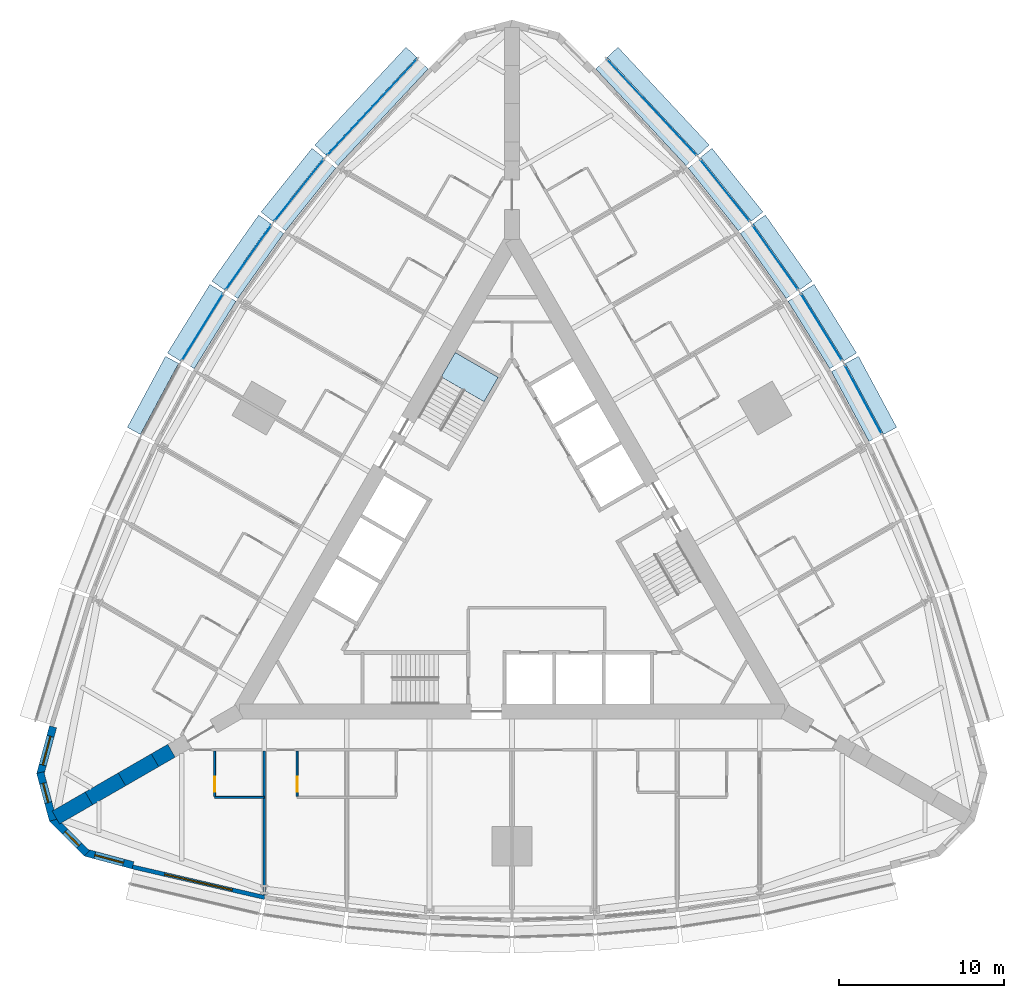
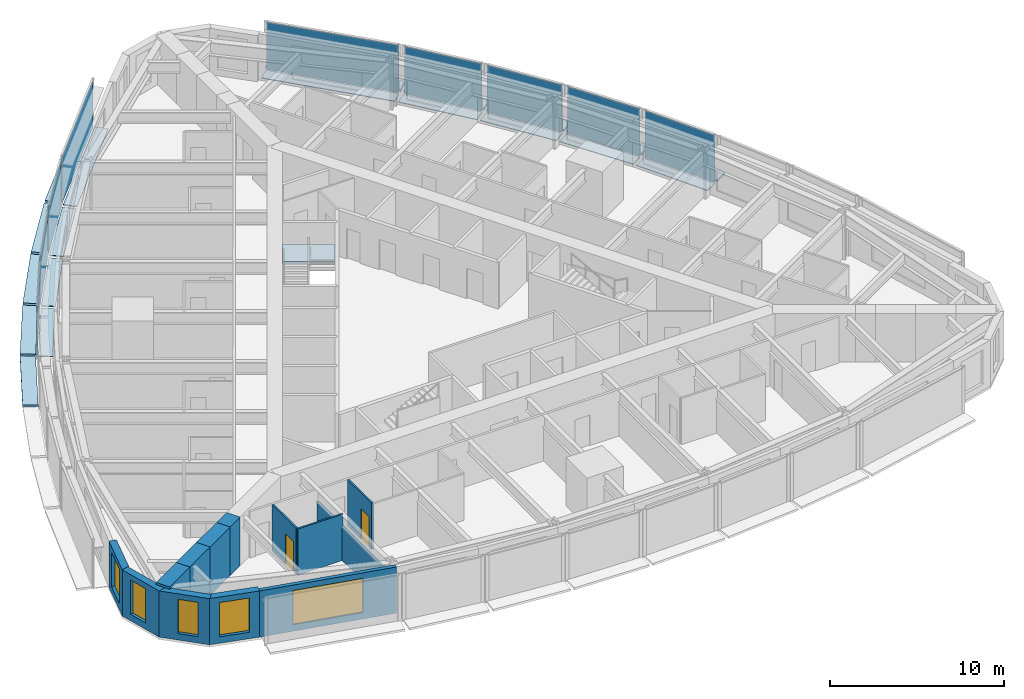
# One storey, part 7 of 14: 28 plates, 13 walls, 5 windows, 2 doors, 1 slab, 7 openings, 10 elements without a shape of their own.
"""IFC4 building model written with IfcOpenShell, lengths in metres."""

import ifcopenshell
import ifcopenshell.guid

model = None  # the IFC model being written
_history = None  # IfcOwnerHistory: only IFC2X3 demands one
_inside = {}  # id of a spatial element -> (the spatial element, [elements in it])
_under = {}  # id of a project, library or spatial element -> (it, [spatial elements below it])
_declared = {}  # id of a project -> (the project, [libraries it declares])
_typed = {}  # id of a type object -> (the type object, [elements of that type])
_made_of = {}  # id of a material, layer set ... -> (it, [elements and type objects made of it])


def new_model(schema):
    """Start an empty IFC model of exactly this schema.

    Asked for "IFC4X3", IfcOpenShell would pick the latest addendum, in which some entities
    have other attributes; the version numbers below select the first issue.
    IFC2X3 requires an IfcOwnerHistory on every rooted entity: one is made here for all.
    """
    global model, _history
    if schema == "IFC4X3":
        model = ifcopenshell.file(schema_version=(4, 3, 0, 0))
    else:
        model = ifcopenshell.file(schema=schema)
    _inside.clear()
    _under.clear()
    _declared.clear()
    _typed.clear()
    _made_of.clear()
    _history = None
    if model.schema == "IFC2X3":
        org = make("IfcOrganization", Name="unknown")
        user = make(
            "IfcPersonAndOrganization",
            ThePerson=make("IfcPerson", FamilyName="unknown"),
            TheOrganization=org,
        )
        app = make(
            "IfcApplication",
            ApplicationDeveloper=org,
            Version="unknown",
            ApplicationFullName="unknown",
            ApplicationIdentifier="unknown",
        )
        _history = make(
            "IfcOwnerHistory",
            OwningUser=user,
            OwningApplication=app,
            ChangeAction="ADDED",
            CreationDate=0,
        )
    return model


def make(cls, **values):
    """One entity of the class cls with the attributes given. An attribute that is None is left unset."""
    return model.create_entity(
        cls, **{name: value for name, value in values.items() if value is not None}
    )


def rooted(cls, **values):
    """An entity with a GlobalId (a new one), such as an element, a storey or a relation."""
    return make(cls, GlobalId=ifcopenshell.guid.new(), OwnerHistory=_history, **values)


def si_unit(unit_type, name, prefix=None):
    """IfcSIUnit, for example si_unit("LENGTHUNIT", "METRE", prefix="MILLI")."""
    return make("IfcSIUnit", UnitType=unit_type, Prefix=prefix, Name=name)


def assignment(units):
    """IfcUnitAssignment: the units of a project."""
    return None if units is None else make("IfcUnitAssignment", Units=units)


def point(xyz):
    """IfcCartesianPoint."""
    return None if xyz is None else make("IfcCartesianPoint", Coordinates=xyz)


def direction(xyz):
    """IfcDirection."""
    return None if xyz is None else make("IfcDirection", DirectionRatios=xyz)


def frame(location, z_axis=None, x_axis=None):
    """IfcAxis2Placement3D, a coordinate frame: its origin and axes. An axis left out is left unset."""
    return make(
        "IfcAxis2Placement3D",
        Location=point(location),
        Axis=direction(z_axis),
        RefDirection=direction(x_axis),
    )


def frame_2d(location, x_axis=None):
    """IfcAxis2Placement2D, a coordinate frame in the plane: its origin and x axis."""
    return make(
        "IfcAxis2Placement2D", Location=point(location), RefDirection=direction(x_axis)
    )


def origin():
    """The frame at (0, 0, 0) with its axes left unset."""
    return frame((0.0, 0.0, 0.0))


def origin_2d():
    """The frame at (0, 0) in the plane with its x axis left unset."""
    return frame_2d((0.0, 0.0))


def place(relative_to, where):
    """IfcLocalPlacement: puts the frame where relative to a parent placement (None: the world)."""
    return make(
        "IfcLocalPlacement", PlacementRelTo=relative_to, RelativePlacement=where
    )


def context(
    kind, dimensions, precision=None, world=None, true_north=None, identifier=None
):
    """IfcGeometricRepresentationContext, for example the 3D "Model" context."""
    return make(
        "IfcGeometricRepresentationContext",
        ContextIdentifier=identifier,
        ContextType=kind,
        CoordinateSpaceDimension=dimensions,
        Precision=precision,
        WorldCoordinateSystem=world,
        TrueNorth=true_north,
    )


def subcontext(parent, identifier, kind, view, scale=None):
    """IfcGeometricRepresentationSubContext, for example "Body" below "Model"."""
    return make(
        "IfcGeometricRepresentationSubContext",
        ContextIdentifier=identifier,
        ContextType=kind,
        ParentContext=parent,
        TargetScale=scale,
        TargetView=view,
    )


def project(units=None, contexts=None):
    """IfcProject with its units and contexts."""
    return rooted(
        "IfcProject",
        Name="project",
        RepresentationContexts=contexts,
        UnitsInContext=assignment(units),
    )


def spatial(cls, under=None, at=None, **own):
    """A site, building, storey or space (cls), placed at a placement, below another one or the project."""
    s = rooted(cls, ObjectPlacement=at, **own)
    if under is not None:
        _under.setdefault(under.id(), (under, []))[1].append(s)
    return s


def polyline(points):
    """IfcPolyline through the points."""
    return make("IfcPolyline", Points=[point(p) for p in points])


def profile(cls, at=None, kind="AREA", **sizes):
    """A parametric profile (cls). Its sizes go by their IFC names, for example OverallWidth=200.0."""
    return make(cls, ProfileType=kind, Position=at, **sizes)


def rectangle(**sizes):
    """IfcRectangleProfileDef."""
    return profile("IfcRectangleProfileDef", **sizes)


def outline(outer, holes=None, kind="AREA"):
    """IfcArbitraryClosedProfileDef: a profile drawn as a closed curve; with holes, ...WithVoids."""
    if holes is None:
        return make("IfcArbitraryClosedProfileDef", ProfileType=kind, OuterCurve=outer)
    return make(
        "IfcArbitraryProfileDefWithVoids",
        ProfileType=kind,
        OuterCurve=outer,
        InnerCurves=holes,
    )


def extrude(swept, where, along, depth):
    """IfcExtrudedAreaSolid: the profile swept, set in the frame where, extruded along a direction by depth."""
    return make(
        "IfcExtrudedAreaSolid",
        SweptArea=swept,
        Position=where,
        ExtrudedDirection=direction(along),
        Depth=depth,
    )


def shape(context_of_items, identifier, shape_type, items):
    """IfcShapeRepresentation: the items that make up one representation, for example the "Body"."""
    return make(
        "IfcShapeRepresentation",
        ContextOfItems=context_of_items,
        RepresentationIdentifier=identifier,
        RepresentationType=shape_type,
        Items=items,
    )


def material(Name=None, Category=None):
    """IfcMaterial."""
    return make("IfcMaterial", Name=Name, Category=Category)


def layer(
    of_material, thickness, ventilated=None, Name=None, Category=None, Priority=None
):
    """IfcMaterialLayer: one layer of a wall or slab, of a material (None: an air gap)."""
    return make(
        "IfcMaterialLayer",
        Material=of_material,
        LayerThickness=thickness,
        IsVentilated=ventilated,
        Name=Name,
        Category=Category,
        Priority=Priority,
    )


def layer_set(layers, Name=None):
    """IfcMaterialLayerSet."""
    return make("IfcMaterialLayerSet", MaterialLayers=layers, LayerSetName=Name)


def made_of(thing, what):
    """Note that an element or type object is made of a material, layer set ...; save() writes the relation."""
    if what is not None:
        _made_of.setdefault(what.id(), (what, []))[1].append(thing)
    return thing


def type_object(cls, material=None, **own):
    """A type object (cls), such as IfcWallType, which elements share."""
    return made_of(rooted(cls, **own), material)


def element(
    cls,
    number,
    at=None,
    inside=None,
    cuts=None,
    type_object=None,
    material=None,
    context=None,
    identifier="Body",
    shape_type=None,
    held_by="IfcProductDefinitionShape",
    body=None,
    shapes=None,
    **own,
):
    """One element of the class cls, such as IfcWall. Its Tag is "e" and its number.

    at: its placement. inside: the storey or other place that contains it. cuts: it is an
    opening in that element (IfcRelVoidsElement). A single representation is given by context,
    identifier, shape_type and body (its items); several are given by shapes. held_by: the class
    of the entity that holds the representations. save() writes the other relations.
    """
    e = rooted(cls, Tag="e%d" % number, ObjectPlacement=at, **own)
    if body is not None:
        shapes = [shape(context, identifier, shape_type, body)]
    if shapes is not None:
        e.Representation = make(held_by, Representations=shapes)
    if inside is not None:
        _inside.setdefault(inside.id(), (inside, []))[1].append(e)
    if cuts is not None:
        rooted(
            "IfcRelVoidsElement", RelatingBuildingElement=cuts, RelatedOpeningElement=e
        )
    if type_object is not None:
        _typed.setdefault(type_object.id(), (type_object, []))[1].append(e)
    return made_of(e, material)


def fill(opening, filler):
    """IfcRelFillsElement: the door or window that sits in an opening."""
    return rooted(
        "IfcRelFillsElement",
        RelatingOpeningElement=opening,
        RelatedBuildingElement=filler,
    )


def aggregate(whole, parts):
    """IfcRelAggregates: a whole, such as a stair, and the parts it consists of."""
    return rooted("IfcRelAggregates", RelatingObject=whole, RelatedObjects=parts)


def save(model, path):
    """Write the relations noted so far, then the file.

    IfcRelAggregates (storeys below a building ...), IfcRelContainedInSpatialStructure (elements
    in a storey), IfcRelDefinesByType, IfcRelAssociatesMaterial and IfcRelDeclares: one each for
    every whole, place, type object, material and project.
    """
    for whole, parts in _under.values():
        aggregate(whole, parts)
    for where, things in _inside.values():
        rooted(
            "IfcRelContainedInSpatialStructure",
            RelatedElements=things,
            RelatingStructure=where,
        )
    for kind, things in _typed.values():
        rooted("IfcRelDefinesByType", RelatedObjects=things, RelatingType=kind)
    for what, things in _made_of.values():
        rooted("IfcRelAssociatesMaterial", RelatedObjects=things, RelatingMaterial=what)
    for by, libraries in _declared.values():
        rooted("IfcRelDeclares", RelatingContext=by, RelatedDefinitions=libraries)
    model.write(path)


model = new_model("IFC4")

# Units and contexts
model_context = context("Model", 3, precision=1e-05, world=origin(), true_north=direction((0.0, 1.0)))
body_context = subcontext(model_context, "Body", "Model", "MODEL_VIEW")
ifc_project = project(units=[si_unit("LENGTHUNIT", "METRE"), si_unit("AREAUNIT", "SQUARE_METRE"), si_unit("VOLUMEUNIT", "CUBIC_METRE"), si_unit("PLANEANGLEUNIT", "RADIAN"), si_unit("MASSUNIT", "GRAM", prefix="KILO")], contexts=[model_context])

# Site, building, storey
site_placement = place(None, origin())
site = spatial("IfcSite", under=ifc_project, at=site_placement, CompositionType="ELEMENT")
building_placement = place(site_placement, origin())
building = spatial("IfcBuilding", under=site, at=building_placement, Name="Trikona Tower", CompositionType="ELEMENT")
storey_placement = place(building_placement, frame((0.0, 0.0, 42.10009765625)))
storey = spatial("IfcBuildingStorey", under=building, at=storey_placement, Name="L09", CompositionType="ELEMENT", Elevation=42.10009765625)

# Plates
ifc_material_1 = material(Name="Aluminium bar grating", Category="aluminium")
ifc_layer_1 = layer(ifc_material_1, 0.050048828125)
ifc_layer_set_1 = layer_set([ifc_layer_1], Name="Cavity catwalk grating")
plate_type_1 = type_object("IfcPlateType", Name="Cavity catwalk grating", PredefinedType="USERDEFINED", material=ifc_layer_set_1)
for number, where, z_axis, x_axis, name in (
    (1, (20.833740234375, 9.127197265625, -0.05029296875), (0.0, 0.0, 1.0), (-0.473422672721, 0.880835383572, 0.0), "Cavity catwalk L09-15"),
    (2, (18.3212890625, 13.47900390625, -0.05029296875), (0.0, 0.0, 1.0), (-0.526118935114, 0.85041099835, 0.0), "Cavity catwalk L09-16"),
):
    element("IfcPlate", number, at=place(storey_placement, frame(where, z_axis=z_axis, x_axis=x_axis)), inside=storey, type_object=plate_type_1, Name=name, ObjectType="CATWALK GRATING", PredefinedType="USERDEFINED", context=body_context, shape_type="SweptSolid", body=[
        extrude(rectangle(XDim=4.80224609375, YDim=0.820068359375, at=origin_2d()), origin(), (0.0, 0.0, 1.0), 0.050048828125),
    ])
plate_1_placement = place(storey_placement, frame((15.544189453125, 17.677734375, -0.05029296875), z_axis=(0.0, 0.0, 1.0), x_axis=(-0.576661909499, 0.816982889743, 0.0)))
element("IfcPlate", 3, at=plate_1_placement, inside=storey, type_object=plate_type_1, Name="Cavity catwalk L09-17", ObjectType="CATWALK GRATING", PredefinedType="USERDEFINED", context=body_context, shape_type="SweptSolid", body=[
    extrude(rectangle(XDim=4.82080078125, YDim=0.820068359375, at=origin_2d()), origin(), (0.0, 0.0, 1.0), 0.050048828125),
])
plate_2_placement = place(storey_placement, frame((12.502197265625, 21.72314453125, -0.05029296875), z_axis=(0.0, 0.0, 1.0), x_axis=(-0.624603618277, 0.780941944087, 0.0)))
element("IfcPlate", 4, at=plate_2_placement, inside=storey, type_object=plate_type_1, Name="Cavity catwalk L09-18", ObjectType="CATWALK GRATING", PredefinedType="USERDEFINED", context=body_context, shape_type="SweptSolid", body=[
    extrude(rectangle(XDim=4.857666015625, YDim=0.820068359375, at=origin_2d()), origin(), (0.0, 0.0, 1.0), 0.050048828125),
])
for number, where, z_axis, x_axis, name in (
    (5, (8.10107421875, 26.72314453125, -0.05029296875), (0.0, 0.0, 1.0), (-0.682298269147, 0.731073916864, 0.0), "Cavity catwalk L09-19"),
    (6, (-8.10107421875, 26.72314453125, -0.05029296875), (0.0, 0.0, 1.0), (-0.682298269147, -0.731073916864, 0.0), "Cavity catwalk L09-24"),
):
    element("IfcPlate", number, at=place(storey_placement, frame(where, z_axis=z_axis, x_axis=x_axis)), inside=storey, type_object=plate_type_1, Name=name, ObjectType="CATWALK GRATING", PredefinedType="USERDEFINED", context=body_context, shape_type="SweptSolid", body=[
        extrude(rectangle(XDim=8.01123046875, YDim=0.820068359375, at=origin_2d()), origin(), (0.0, 0.0, 1.0), 0.050048828125),
    ])
plate_3_placement = place(storey_placement, frame((-12.502197265625, 21.72314453125, -0.05029296875), z_axis=(0.0, 0.0, 1.0), x_axis=(-0.624603618277, -0.780941944087, 0.0)))
element("IfcPlate", 7, at=plate_3_placement, inside=storey, type_object=plate_type_1, Name="Cavity catwalk L09-25", ObjectType="CATWALK GRATING", PredefinedType="USERDEFINED", context=body_context, shape_type="SweptSolid", body=[
    extrude(rectangle(XDim=4.857666015625, YDim=0.820068359375, at=origin_2d()), origin(), (0.0, 0.0, 1.0), 0.050048828125),
])
plate_4_placement = place(storey_placement, frame((-15.544189453125, 17.677734375, -0.05029296875), z_axis=(0.0, 0.0, 1.0), x_axis=(-0.576661909499, -0.816982889743, 0.0)))
element("IfcPlate", 8, at=plate_4_placement, inside=storey, type_object=plate_type_1, Name="Cavity catwalk L09-26", ObjectType="CATWALK GRATING", PredefinedType="USERDEFINED", context=body_context, shape_type="SweptSolid", body=[
    extrude(rectangle(XDim=4.82080078125, YDim=0.820068359375, at=origin_2d()), origin(), (0.0, 0.0, 1.0), 0.050048828125),
])
plate_5_placement = place(storey_placement, frame((-18.3212890625, 13.47900390625, -0.05029296875), z_axis=(0.0, 0.0, 1.0), x_axis=(-0.526118935114, -0.85041099835, 0.0)))
element("IfcPlate", 9, at=plate_5_placement, inside=storey, type_object=plate_type_1, Name="Cavity catwalk L09-27", ObjectType="CATWALK GRATING", PredefinedType="USERDEFINED", context=body_context, shape_type="SweptSolid", body=[
    extrude(rectangle(XDim=4.80224609375, YDim=0.820068359375, at=origin_2d()), origin(), (0.0, 0.0, 1.0), 0.050048828125),
])

# Curtain wall, plate
ifc_material_2 = material(Name="Aluminium curtain wall system", Category="aluminium")
curtain_wall_type = type_object("IfcCurtainWallType", Name="Curtain wall DS1", PredefinedType="NOTDEFINED", material=ifc_material_2)
curtain_wall_1_placement = place(storey_placement, origin())
curtain_wall_1 = element("IfcCurtainWall", 10, at=curtain_wall_1_placement, inside=storey, type_object=curtain_wall_type, Name="Curtain wall DS1 L09", PredefinedType="NOTDEFINED")
ifc_material_3 = material(Name="Laminated clear glass", Category="glass")
ifc_layer_2 = layer(ifc_material_3, 0.028076171875)
ifc_layer_set_2 = layer_set([ifc_layer_2], Name="Glass panel DS1")
plate_type_2 = type_object("IfcPlateType", Name="Glass panel DS1", PredefinedType="CURTAIN_PANEL", material=ifc_layer_set_2)
plate_6_placement = place(storey_placement, frame((21.265380859375, 9.359130859375, 0.0), z_axis=(0.0, 0.0, 1.0), x_axis=(-0.473408350896, 0.880843080975, 0.0)))
plate_6 = element("IfcPlate", 11, at=plate_6_placement, type_object=plate_type_2, Name="CW-DS1 panel 1.1", PredefinedType="CURTAIN_PANEL", context=body_context, shape_type="SweptSolid", body=[
    extrude(rectangle(XDim=4.72216796875, YDim=0.028076171875, at=origin_2d()), origin(), (0.0, 0.0, 1.0), 3.320068359375),
])
aggregate(curtain_wall_1, [plate_6])

curtain_wall_2_placement = place(storey_placement, origin())
curtain_wall_2 = element("IfcCurtainWall", 12, at=curtain_wall_2_placement, inside=storey, type_object=curtain_wall_type, Name="Curtain wall DS1 L09", PredefinedType="NOTDEFINED")
plate_7_placement = place(storey_placement, frame((18.738037109375, 13.73681640625, 0.0), z_axis=(0.0, 0.0, 1.0), x_axis=(-0.526119790842, 0.850410468941, 0.0)))
plate_7 = element("IfcPlate", 13, at=plate_7_placement, type_object=plate_type_2, Name="CW-DS1 panel 1.1", PredefinedType="CURTAIN_PANEL", context=body_context, shape_type="SweptSolid", body=[
    extrude(rectangle(XDim=4.722412109375, YDim=0.028076171875, at=origin_2d()), origin(), (0.0, 0.0, 1.0), 3.320068359375),
])
aggregate(curtain_wall_2, [plate_7])

curtain_wall_3_placement = place(storey_placement, origin())
curtain_wall_3 = element("IfcCurtainWall", 14, at=curtain_wall_3_placement, inside=storey, type_object=curtain_wall_type, Name="Curtain wall DS1 L09", PredefinedType="NOTDEFINED")
plate_8_placement = place(storey_placement, frame((15.9443359375, 17.960205078125, 0.0), z_axis=(0.0, 0.0, 1.0), x_axis=(-0.576658362928, 0.816985393055, 0.0)))
plate_8 = element("IfcPlate", 15, at=plate_8_placement, type_object=plate_type_2, Name="CW-DS1 panel 1.1", PredefinedType="CURTAIN_PANEL", context=body_context, shape_type="SweptSolid", body=[
    extrude(rectangle(XDim=4.74072265625, YDim=0.028076171875, at=origin_2d()), origin(), (0.0, 0.0, 1.0), 3.320068359375),
])
aggregate(curtain_wall_3, [plate_8])

curtain_wall_4_placement = place(storey_placement, origin())
curtain_wall_4 = element("IfcCurtainWall", 16, at=curtain_wall_4_placement, inside=storey, type_object=curtain_wall_type, Name="Curtain wall DS1 L09", PredefinedType="NOTDEFINED")
plate_9_placement = place(storey_placement, frame((12.884765625, 22.029296875, 0.0), z_axis=(0.0, 0.0, 1.0), x_axis=(-0.624608599951, 0.780937959679, 0.0)))
plate_9 = element("IfcPlate", 17, at=plate_9_placement, type_object=plate_type_2, Name="CW-DS1 panel 1.1", PredefinedType="CURTAIN_PANEL", context=body_context, shape_type="SweptSolid", body=[
    extrude(rectangle(XDim=4.777587890625, YDim=0.028076171875, at=origin_2d()), origin(), (0.0, 0.0, 1.0), 3.320068359375),
])
aggregate(curtain_wall_4, [plate_9])

curtain_wall_5_placement = place(storey_placement, origin())
curtain_wall_5 = element("IfcCurtainWall", 18, at=curtain_wall_5_placement, inside=storey, type_object=curtain_wall_type, Name="Curtain wall DS1 L09", PredefinedType="NOTDEFINED")
plate_10_placement = place(storey_placement, frame((8.459228515625, 27.057373046875, 0.0), z_axis=(0.0, 0.0, 1.0), x_axis=(-0.682295351967, 0.731076639405, 0.0)))
plate_10 = element("IfcPlate", 19, at=plate_10_placement, type_object=plate_type_2, Name="CW-DS1 panel 1.1", PredefinedType="CURTAIN_PANEL", context=body_context, shape_type="SweptSolid", body=[
    extrude(rectangle(XDim=7.93115234375, YDim=0.028076171875, at=origin_2d()), origin(), (0.0, 0.0, 1.0), 3.320068359375),
])
aggregate(curtain_wall_5, [plate_10])

curtain_wall_6_placement = place(storey_placement, origin())
curtain_wall_6 = element("IfcCurtainWall", 20, at=curtain_wall_6_placement, inside=storey, type_object=curtain_wall_type, Name="Curtain wall DS1 L09", PredefinedType="NOTDEFINED")
plate_11_placement = place(storey_placement, frame((-8.459228515625, 27.057373046875, 0.0), z_axis=(0.0, 0.0, 1.0), x_axis=(-0.682295351967, -0.731076639405, 0.0)))
plate_11 = element("IfcPlate", 21, at=plate_11_placement, type_object=plate_type_2, Name="CW-DS1 panel 1.1", PredefinedType="CURTAIN_PANEL", context=body_context, shape_type="SweptSolid", body=[
    extrude(rectangle(XDim=7.93115234375, YDim=0.028076171875, at=origin_2d()), origin(), (0.0, 0.0, 1.0), 3.320068359375),
])
aggregate(curtain_wall_6, [plate_11])

curtain_wall_7_placement = place(storey_placement, origin())
curtain_wall_7 = element("IfcCurtainWall", 22, at=curtain_wall_7_placement, inside=storey, type_object=curtain_wall_type, Name="Curtain wall DS1 L09", PredefinedType="NOTDEFINED")
plate_12_placement = place(storey_placement, frame((-12.884765625, 22.029296875, 0.0), z_axis=(0.0, 0.0, 1.0), x_axis=(-0.624608599951, -0.780937959679, 0.0)))
plate_12 = element("IfcPlate", 23, at=plate_12_placement, type_object=plate_type_2, Name="CW-DS1 panel 1.1", PredefinedType="CURTAIN_PANEL", context=body_context, shape_type="SweptSolid", body=[
    extrude(rectangle(XDim=4.777587890625, YDim=0.028076171875, at=origin_2d()), origin(), (0.0, 0.0, 1.0), 3.320068359375),
])
aggregate(curtain_wall_7, [plate_12])

curtain_wall_8_placement = place(storey_placement, origin())
curtain_wall_8 = element("IfcCurtainWall", 24, at=curtain_wall_8_placement, inside=storey, type_object=curtain_wall_type, Name="Curtain wall DS1 L09", PredefinedType="NOTDEFINED")
plate_13_placement = place(storey_placement, frame((-15.9443359375, 17.960205078125, 0.0), z_axis=(0.0, 0.0, 1.0), x_axis=(-0.576658362928, -0.816985393055, 0.0)))
plate_13 = element("IfcPlate", 25, at=plate_13_placement, type_object=plate_type_2, Name="CW-DS1 panel 1.1", PredefinedType="CURTAIN_PANEL", context=body_context, shape_type="SweptSolid", body=[
    extrude(rectangle(XDim=4.74072265625, YDim=0.028076171875, at=origin_2d()), origin(), (0.0, 0.0, 1.0), 3.320068359375),
])
aggregate(curtain_wall_8, [plate_13])

curtain_wall_9_placement = place(storey_placement, origin())
curtain_wall_9 = element("IfcCurtainWall", 26, at=curtain_wall_9_placement, inside=storey, type_object=curtain_wall_type, Name="Curtain wall DS1 L09", PredefinedType="NOTDEFINED")
plate_14_placement = place(storey_placement, frame((-18.738037109375, 13.73681640625, 0.0), z_axis=(0.0, 0.0, 1.0), x_axis=(-0.526119790842, -0.850410468941, 0.0)))
plate_14 = element("IfcPlate", 27, at=plate_14_placement, type_object=plate_type_2, Name="CW-DS1 panel 1.1", PredefinedType="CURTAIN_PANEL", context=body_context, shape_type="SweptSolid", body=[
    extrude(rectangle(XDim=4.722412109375, YDim=0.028076171875, at=origin_2d()), origin(), (0.0, 0.0, 1.0), 3.320068359375),
])
aggregate(curtain_wall_9, [plate_14])

# Plates
ifc_material_4 = material(Name="Aluminium plate fin, pale anodised, on stainless steel outriggers", Category="steel")
ifc_layer_3 = layer(ifc_material_4, 0.14990234375)
ifc_layer_set_3 = layer_set([ifc_layer_3], Name="Outer skin fin 900")
plate_type_3 = type_object("IfcPlateType", Name="Outer skin fin 900", PredefinedType="USERDEFINED", material=ifc_layer_set_3)
for number, where, z_axis, x_axis, name in (
    (28, (21.732421875, 9.610107421875, 0.0), (0.0, 0.0, 1.0), (-0.473422672721, 0.880835383572, 0.0), "Outer skin fin L09-15"),
    (29, (19.188720703125, 14.015625, 0.0), (0.0, 0.0, 1.0), (-0.526118935114, 0.85041099835, 0.0), "Outer skin fin L09-16"),
):
    element("IfcPlate", number, at=place(storey_placement, frame(where, z_axis=z_axis, x_axis=x_axis)), inside=storey, type_object=plate_type_3, Name=name, ObjectType="FIN", PredefinedType="USERDEFINED", context=body_context, shape_type="SweptSolid", body=[
        extrude(rectangle(XDim=4.88232421875, YDim=0.89990234375, at=origin_2d()), origin(), (0.0, 0.0, 1.0), 0.14990234375),
    ])
plate_15_placement = place(storey_placement, frame((16.37744140625, 18.265869140625, 0.0), z_axis=(0.0, 0.0, 1.0), x_axis=(-0.576661909499, 0.816982889743, 0.0)))
element("IfcPlate", 30, at=plate_15_placement, inside=storey, type_object=plate_type_3, Name="Outer skin fin L09-17", ObjectType="FIN", PredefinedType="USERDEFINED", context=body_context, shape_type="SweptSolid", body=[
    extrude(rectangle(XDim=4.90087890625, YDim=0.89990234375, at=origin_2d()), origin(), (0.0, 0.0, 1.0), 0.14990234375),
])
plate_16_placement = place(storey_placement, frame((13.298583984375, 22.360107421875, 0.0), z_axis=(0.0, 0.0, 1.0), x_axis=(-0.624603618277, 0.780941944087, 0.0)))
element("IfcPlate", 31, at=plate_16_placement, inside=storey, type_object=plate_type_3, Name="Outer skin fin L09-18", ObjectType="FIN", PredefinedType="USERDEFINED", context=body_context, shape_type="SweptSolid", body=[
    extrude(rectangle(XDim=4.9375, YDim=0.89990234375, at=origin_2d()), origin(), (0.0, 0.0, 1.0), 0.14990234375),
])
for number, where, z_axis, x_axis, name in (
    (32, (8.8466796875, 27.419189453125, 0.0), (0.0, 0.0, 1.0), (-0.682298269147, 0.731073916864, 0.0), "Outer skin fin L09-19"),
    (33, (-8.8466796875, 27.419189453125, 0.0), (0.0, 0.0, 1.0), (-0.682298269147, -0.731073916864, 0.0), "Outer skin fin L09-24"),
):
    element("IfcPlate", number, at=place(storey_placement, frame(where, z_axis=z_axis, x_axis=x_axis)), inside=storey, type_object=plate_type_3, Name=name, ObjectType="FIN", PredefinedType="USERDEFINED", context=body_context, shape_type="SweptSolid", body=[
        extrude(rectangle(XDim=8.09130859375, YDim=0.89990234375, at=origin_2d()), origin(), (0.0, 0.0, 1.0), 0.14990234375),
    ])
plate_17_placement = place(storey_placement, frame((-13.298583984375, 22.360107421875, 0.0), z_axis=(0.0, 0.0, 1.0), x_axis=(-0.624603618277, -0.780941944087, 0.0)))
element("IfcPlate", 34, at=plate_17_placement, inside=storey, type_object=plate_type_3, Name="Outer skin fin L09-25", ObjectType="FIN", PredefinedType="USERDEFINED", context=body_context, shape_type="SweptSolid", body=[
    extrude(rectangle(XDim=4.9375, YDim=0.89990234375, at=origin_2d()), origin(), (0.0, 0.0, 1.0), 0.14990234375),
])
plate_18_placement = place(storey_placement, frame((-16.37744140625, 18.265869140625, 0.0), z_axis=(0.0, 0.0, 1.0), x_axis=(-0.576661909499, -0.816982889743, 0.0)))
element("IfcPlate", 35, at=plate_18_placement, inside=storey, type_object=plate_type_3, Name="Outer skin fin L09-26", ObjectType="FIN", PredefinedType="USERDEFINED", context=body_context, shape_type="SweptSolid", body=[
    extrude(rectangle(XDim=4.90087890625, YDim=0.89990234375, at=origin_2d()), origin(), (0.0, 0.0, 1.0), 0.14990234375),
])
for number, where, z_axis, x_axis, name in (
    (36, (-19.188720703125, 14.015625, 0.0), (0.0, 0.0, 1.0), (-0.526118935114, -0.85041099835, 0.0), "Outer skin fin L09-27"),
    (37, (-21.732421875, 9.610107421875, 0.0), (0.0, 0.0, 1.0), (-0.473422672721, -0.880835383572, 0.0), "Outer skin fin L09-28"),
):
    element("IfcPlate", number, at=place(storey_placement, frame(where, z_axis=z_axis, x_axis=x_axis)), inside=storey, type_object=plate_type_3, Name=name, ObjectType="FIN", PredefinedType="USERDEFINED", context=body_context, shape_type="SweptSolid", body=[
        extrude(rectangle(XDim=4.88232421875, YDim=0.89990234375, at=origin_2d()), origin(), (0.0, 0.0, 1.0), 0.14990234375),
    ])

# Stair, slab
ifc_material_5 = material(Name="Concrete f'c 5000 psi", Category="concrete")
stair_type = type_object("IfcStairType", Name="Core stair", PredefinedType="HALF_TURN_STAIR", material=ifc_material_5)
stair_placement = place(storey_placement, origin())
stair = element("IfcStair", 38, at=stair_placement, inside=storey, type_object=stair_type, Name="Stair C L09", PredefinedType="HALF_TURN_STAIR")
ifc_material_6 = material(Name="Concrete f'c 5000 psi", Category="concrete")
ifc_layer_4 = layer(ifc_material_6, 0.199951171875)
ifc_layer_set_4 = layer_set([ifc_layer_4], Name="Stair landing 200")
slab_type = type_object("IfcSlabType", Name="Stair landing 200", PredefinedType="LANDING", material=ifc_layer_set_4)
slab_placement = place(storey_placement, frame((0.0, 0.0, 1.5)))
slab = element("IfcSlab", 39, at=slab_placement, type_object=slab_type, Name="ST-C landing 2", PredefinedType="LANDING", context=body_context, shape_type="SweptSolid", body=[
    extrude(outline(polyline([(-0.837158203125, 10.702392578125), (-1.688720703125, 9.2275390625), (-4.286865234375, 10.7275390625), (-3.435302734375, 12.202392578125), (-0.837158203125, 10.702392578125)])), origin(), (0.0, 0.0, 1.0), 0.199951171875),
])
aggregate(stair, [slab])

# Wall
ifc_material_7 = material(Name="Metal stud and cement board", Category="gypsum")
ifc_layer_5 = layer(ifc_material_7, 0.1201171875)
ifc_layer_set_5 = layer_set([ifc_layer_5], Name="Bathroom wall 120")
wall_type_1 = type_object("IfcWallType", Name="Bathroom wall 120", PredefinedType="PLUMBINGWALL", material=ifc_layer_set_5)
wall_1_placement = place(storey_placement, frame((-18.0, -14.726318359375, 0.0), z_axis=(0.0, 0.0, 1.0), x_axis=(1.0, 0.0, 0.0)))
element("IfcWall", 40, at=wall_1_placement, inside=storey, type_object=wall_type_1, Name="Bathroom wall 0901", PredefinedType="PLUMBINGWALL", context=body_context, shape_type="SweptSolid", body=[
    extrude(rectangle(XDim=3.0, YDim=0.1201171875, at=frame_2d((1.5, 0.0))), origin(), (0.0, 0.0, 1.0), 3.23486328125),
])

# Wall, opening, door
wall_2_placement = place(storey_placement, frame((-18.0, -11.92626953125, 0.0), z_axis=(0.0, 0.0, 1.0), x_axis=(0.0, -1.0, 0.0)))
wall_2 = element("IfcWall", 41, at=wall_2_placement, inside=storey, type_object=wall_type_1, Name="Bathroom wall 0901", PredefinedType="PLUMBINGWALL", context=body_context, shape_type="SweptSolid", body=[
    extrude(rectangle(XDim=2.739990234375, YDim=0.1201171875, at=frame_2d((1.3701171875, 0.0))), origin(), (0.0, 0.0, 1.0), 3.23486328125),
])
opening_1_placement = place(wall_2_placement, frame((1.550048828125, 0.0, 0.0)))
opening_1 = element("IfcOpeningElement", 42, at=opening_1_placement, cuts=wall_2, Name="Opening D2", PredefinedType="OPENING", context=body_context, shape_type="SweptSolid", body=[
    extrude(rectangle(XDim=0.89990234375, YDim=2.1298828125, at=frame_2d((0.449951171875, 1.06494140625))), frame((0.0, 0.070068359375, 0.0), z_axis=(0.0, -1.0, 0.0), x_axis=(1.0, 0.0, 0.0)), (0.0, 0.0, 1.0), 0.14013671875),
])
ifc_material_8 = material(Name="Steel door frame with solid-core timber leaf", Category="steel")
door_type = type_object("IfcDoorType", Name="Bathroom door 900x2130", OperationType="SLIDING_TO_LEFT", PredefinedType="DOOR", material=ifc_material_8)
door_1_placement = place(opening_1_placement, origin())
door_1 = element("IfcDoor", 43, at=door_1_placement, inside=storey, type_object=door_type, Name="Bathroom door 0901", OperationType="SLIDING_TO_LEFT", OverallHeight=2.1298828125, OverallWidth=0.89990234375, PredefinedType="DOOR", context=body_context, shape_type="SweptSolid", body=[
    extrude(rectangle(XDim=0.89990234375, YDim=2.1298828125, at=frame_2d((0.449951171875, 1.06494140625))), frame((0.0, 0.02490234375, 0.0), z_axis=(0.0, -1.0, 0.0), x_axis=(1.0, 0.0, 0.0)), (0.0, 0.0, 1.0), 0.050048828125),
])
fill(opening_1, door_1)

wall_3_placement = place(storey_placement, frame((-13.0, -11.92626953125, 0.0), z_axis=(0.0, 0.0, 1.0), x_axis=(0.0, -1.0, 0.0)))
wall_3 = element("IfcWall", 44, at=wall_3_placement, inside=storey, type_object=wall_type_1, Name="Bathroom wall 0902", PredefinedType="PLUMBINGWALL", context=body_context, shape_type="SweptSolid", body=[
    extrude(rectangle(XDim=2.739990234375, YDim=0.1201171875, at=frame_2d((1.3701171875, 0.0))), origin(), (0.0, 0.0, 1.0), 3.23486328125),
])
opening_2_placement = place(wall_3_placement, frame((1.550048828125, 0.0, 0.0)))
opening_2 = element("IfcOpeningElement", 45, at=opening_2_placement, cuts=wall_3, Name="Opening D2", PredefinedType="OPENING", context=body_context, shape_type="SweptSolid", body=[
    extrude(rectangle(XDim=0.89990234375, YDim=2.1298828125, at=frame_2d((0.449951171875, 1.06494140625))), frame((0.0, 0.070068359375, 0.0), z_axis=(0.0, -1.0, 0.0), x_axis=(1.0, 0.0, 0.0)), (0.0, 0.0, 1.0), 0.14013671875),
])
door_2_placement = place(opening_2_placement, origin())
door_2 = element("IfcDoor", 46, at=door_2_placement, inside=storey, type_object=door_type, Name="Bathroom door 0902", OperationType="SLIDING_TO_LEFT", OverallHeight=2.1298828125, OverallWidth=0.89990234375, PredefinedType="DOOR", context=body_context, shape_type="SweptSolid", body=[
    extrude(rectangle(XDim=0.89990234375, YDim=2.1298828125, at=frame_2d((0.449951171875, 1.06494140625))), frame((0.0, 0.02490234375, 0.0), z_axis=(0.0, -1.0, 0.0), x_axis=(1.0, 0.0, 0.0)), (0.0, 0.0, 1.0), 0.050048828125),
])
fill(opening_2, door_2)

# Wall, opening, window
ifc_material_9 = material(Name="Brick-faced precast concrete", Category="masonry")
ifc_layer_6 = layer(ifc_material_9, 0.449951171875)
ifc_layer_set_6 = layer_set([ifc_layer_6], Name="Brick-faced corner wall 450")
wall_type_2 = type_object("IfcWallType", Name="Brick-faced corner wall 450", PredefinedType="SOLIDWALL", material=ifc_layer_set_6)
wall_4_placement = place(storey_placement, frame((-27.78271484375, -10.450439453125, 0.0), z_axis=(0.0, 0.0, 1.0), x_axis=(-0.258780998834, -0.965936019953, 0.0)))
wall_4 = element("IfcWall", 47, at=wall_4_placement, inside=storey, type_object=wall_type_2, Name="External wall L09-32", PredefinedType="SOLIDWALL", context=body_context, shape_type="SweptSolid", body=[
    extrude(rectangle(XDim=2.98876953125, YDim=0.449951171875, at=frame_2d((1.494384765625, 0.0))), origin(), (0.0, 0.0, 1.0), 3.23486328125),
])
opening_3_placement = place(wall_4_placement, frame((0.59423828125, 0.0, 0.449951171875)))
opening_3 = element("IfcOpeningElement", 48, at=opening_3_placement, cuts=wall_4, Name="Opening W1824", PredefinedType="OPENING", context=body_context, shape_type="SweptSolid", body=[
    extrude(rectangle(XDim=1.800048828125, YDim=2.39990234375, at=frame_2d((0.89990234375, 1.199951171875))), frame((0.0, 0.23486328125, 0.0), z_axis=(0.0, -1.0, 0.0), x_axis=(1.0, 0.0, 0.0)), (0.0, 0.0, 1.0), 0.469970703125),
])
ifc_material_10 = material(Name="Aluminium-framed double glazing", Category="aluminium")
window_type_1 = type_object("IfcWindowType", Name="Window 1800x2400", PartitioningType="SINGLE_PANEL", PredefinedType="WINDOW", material=ifc_material_10)
window_1_placement = place(opening_3_placement, origin())
window_1 = element("IfcWindow", 49, at=window_1_placement, inside=storey, type_object=window_type_1, Name="Window 0918", OverallHeight=2.39990234375, OverallWidth=1.800048828125, PartitioningType="SINGLE_PANEL", PredefinedType="WINDOW", context=body_context, shape_type="SweptSolid", body=[
    extrude(rectangle(XDim=1.800048828125, YDim=2.39990234375, at=frame_2d((0.89990234375, 1.199951171875))), frame((0.0, 0.030029296875, 0.0), z_axis=(0.0, -1.0, 0.0), x_axis=(1.0, 0.0, 0.0)), (0.0, 0.0, 1.0), 0.06005859375),
])
fill(opening_3, window_1)

wall_5_placement = place(storey_placement, frame((-28.55615234375, -13.220947265625, 0.0), z_axis=(0.0, 0.0, 1.0), x_axis=(0.258801419081, -0.965930548995, 0.0)))
wall_5 = element("IfcWall", 50, at=wall_5_placement, inside=storey, type_object=wall_type_2, Name="External wall L09-33", PredefinedType="SOLIDWALL", context=body_context, shape_type="SweptSolid", body=[
    extrude(outline(polyline([(2.988525390625, 0.22509765625), (2.928955078125, 0.22509765625), (2.437255859375, 0.09326171875), (2.402099609375, 0.22509765625), (0.0, 0.22509765625), (0.0, -0.22509765625), (2.988525390625, -0.22509765625), (2.988525390625, 0.22509765625)])), origin(), (0.0, 0.0, 1.0), 3.23486328125),
])
opening_4_placement = place(wall_5_placement, frame((0.676025390625, 0.0, 0.449951171875)))
opening_4 = element("IfcOpeningElement", 51, at=opening_4_placement, cuts=wall_5, Name="Opening W1224", PredefinedType="OPENING", context=body_context, shape_type="SweptSolid", body=[
    extrude(rectangle(XDim=1.199951171875, YDim=2.39990234375, at=frame_2d((0.60009765625, 1.199951171875))), frame((0.0, 0.23486328125, 0.0), z_axis=(0.0, -1.0, 0.0), x_axis=(1.0, 0.0, 0.0)), (0.0, 0.0, 1.0), 0.469970703125),
])
ifc_material_11 = material(Name="Aluminium-framed double glazing", Category="aluminium")
window_type_2 = type_object("IfcWindowType", Name="Window 1200x2400", PartitioningType="SINGLE_PANEL", PredefinedType="WINDOW", material=ifc_material_11)
window_2_placement = place(opening_4_placement, origin())
window_2 = element("IfcWindow", 52, at=window_2_placement, inside=storey, type_object=window_type_2, Name="Window 0918", OverallHeight=2.39990234375, OverallWidth=1.199951171875, PartitioningType="SINGLE_PANEL", PredefinedType="WINDOW", context=body_context, shape_type="SweptSolid", body=[
    extrude(rectangle(XDim=1.199951171875, YDim=2.39990234375, at=frame_2d((0.60009765625, 1.199951171875))), frame((0.0, 0.030029296875, 0.0), z_axis=(0.0, -1.0, 0.0), x_axis=(1.0, 0.0, 0.0)), (0.0, 0.0, 1.0), 0.06005859375),
])
fill(opening_4, window_2)

wall_6_placement = place(storey_placement, frame((-27.8408203125, -16.006591796875, 0.0), z_axis=(0.0, 0.0, 1.0), x_axis=(0.707025086683, -0.707188466253, 0.0)))
wall_6 = element("IfcWall", 53, at=wall_6_placement, inside=storey, type_object=wall_type_2, Name="External wall L09-34", PredefinedType="SOLIDWALL", context=body_context, shape_type="SweptSolid", body=[
    extrude(outline(polyline([(2.988525390625, 0.22509765625), (0.58642578125, 0.22509765625), (0.551025390625, 0.093017578125), (0.058837890625, 0.22509765625), (0.0, 0.22509765625), (0.0, -0.22509765625), (2.988525390625, -0.22509765625), (2.988525390625, 0.22509765625)])), origin(), (0.0, 0.0, 1.0), 3.23486328125),
])
opening_5_placement = place(wall_6_placement, frame((1.112548828125, 0.0, 0.449951171875)))
opening_5 = element("IfcOpeningElement", 54, at=opening_5_placement, cuts=wall_6, Name="Opening W1224", PredefinedType="OPENING", context=body_context, shape_type="SweptSolid", body=[
    extrude(rectangle(XDim=1.199951171875, YDim=2.39990234375, at=frame_2d((0.60009765625, 1.199951171875))), frame((0.0, 0.23486328125, 0.0), z_axis=(0.0, -1.0, 0.0), x_axis=(1.0, 0.0, 0.0)), (0.0, 0.0, 1.0), 0.469970703125),
])
window_3_placement = place(opening_5_placement, origin())
window_3 = element("IfcWindow", 55, at=window_3_placement, inside=storey, type_object=window_type_2, Name="Window 0901", OverallHeight=2.39990234375, OverallWidth=1.199951171875, PartitioningType="SINGLE_PANEL", PredefinedType="WINDOW", context=body_context, shape_type="SweptSolid", body=[
    extrude(rectangle(XDim=1.199951171875, YDim=2.39990234375, at=frame_2d((0.60009765625, 1.199951171875))), frame((0.0, 0.030029296875, 0.0), z_axis=(0.0, -1.0, 0.0), x_axis=(1.0, 0.0, 0.0)), (0.0, 0.0, 1.0), 0.06005859375),
])
fill(opening_5, window_3)

wall_7_placement = place(storey_placement, frame((-25.82861328125, -18.061767578125, 0.0), z_axis=(0.0, 0.0, 1.0), x_axis=(0.965930548995, -0.258801419081, 0.0)))
wall_7 = element("IfcWall", 56, at=wall_7_placement, inside=storey, type_object=wall_type_2, Name="External wall L09-35", PredefinedType="SOLIDWALL", context=body_context, shape_type="SweptSolid", body=[
    extrude(rectangle(XDim=2.988525390625, YDim=0.449951171875, at=frame_2d((1.494140625, 0.0))), origin(), (0.0, 0.0, 1.0), 3.23486328125),
])
opening_6_placement = place(wall_7_placement, frame((0.59423828125, 0.0, 0.449951171875)))
opening_6 = element("IfcOpeningElement", 57, at=opening_6_placement, cuts=wall_7, Name="Opening W1824", PredefinedType="OPENING", context=body_context, shape_type="SweptSolid", body=[
    extrude(rectangle(XDim=1.800048828125, YDim=2.39990234375, at=frame_2d((0.89990234375, 1.199951171875))), frame((0.0, 0.23486328125, 0.0), z_axis=(0.0, -1.0, 0.0), x_axis=(1.0, 0.0, 0.0)), (0.0, 0.0, 1.0), 0.469970703125),
])
window_4_placement = place(opening_6_placement, origin())
window_4 = element("IfcWindow", 58, at=window_4_placement, inside=storey, type_object=window_type_1, Name="Window 0901", OverallHeight=2.39990234375, OverallWidth=1.800048828125, PartitioningType="SINGLE_PANEL", PredefinedType="WINDOW", context=body_context, shape_type="SweptSolid", body=[
    extrude(rectangle(XDim=1.800048828125, YDim=2.39990234375, at=frame_2d((0.89990234375, 1.199951171875))), frame((0.0, 0.030029296875, 0.0), z_axis=(0.0, -1.0, 0.0), x_axis=(1.0, 0.0, 0.0)), (0.0, 0.0, 1.0), 0.06005859375),
])
fill(opening_6, window_4)

# Walls
ifc_material_12 = material(Name="Concrete f'c 10000 psi", Category="concrete")
ifc_layer_7 = layer(ifc_material_12, 0.89990234375)
ifc_layer_set_7 = layer_set([ifc_layer_7], Name="Buttress wall 900")
wall_type_3 = type_object("IfcWallType", Name="Buttress wall 900", PredefinedType="SHEAR", material=ifc_layer_set_7)
wall_8_placement = place(storey_placement, frame((-20.6103515625, -11.8994140625, 0.0), z_axis=(0.0, 0.0, 1.0), x_axis=(-0.866009537788, -0.500027479704, 0.0)))
element("IfcWall", 59, at=wall_8_placement, inside=storey, type_object=wall_type_3, Name="Buttress wall 3 part 2", PredefinedType="SHEAR", context=body_context, shape_type="SweptSolid", body=[
    extrude(rectangle(XDim=1.15478515625, YDim=0.89990234375, at=frame_2d((0.577392578125, 0.0))), origin(), (0.0, 0.0, 1.0), 3.39990234375),
])
for number, where, z_axis, x_axis, name in (
    (60, (-21.6103515625, -12.476806640625, 0.0), (0.0, 0.0, 1.0), (-0.866055313784, -0.499948190782, 0.0), "Buttress wall 3 part 3"),
    (61, (-23.6103515625, -13.63134765625, 0.0), (0.0, 0.0, 1.0), (-0.866009537788, -0.500027479704, 0.0), "Buttress wall 3 part 4"),
    (62, (-25.6103515625, -14.7861328125, 0.0), (0.0, 0.0, 1.0), (-0.866009537788, -0.500027479704, 0.0), "Buttress wall 3 part 5"),
):
    element("IfcWall", number, at=place(storey_placement, frame(where, z_axis=z_axis, x_axis=x_axis)), inside=storey, type_object=wall_type_3, Name=name, PredefinedType="SHEAR", context=body_context, shape_type="SweptSolid", body=[
        extrude(rectangle(XDim=2.309326171875, YDim=0.89990234375, at=frame_2d((1.15478515625, 0.0))), origin(), (0.0, 0.0, 1.0), 3.39990234375),
    ])

# Wall, opening, window
ifc_material_13 = material(Name="Insulated precast concrete spandrel panel", Category="concrete")
ifc_layer_8 = layer(ifc_material_13, 0.25)
ifc_layer_set_8 = layer_set([ifc_layer_8], Name="Inner skin wall 250")
wall_type_4 = type_object("IfcWallType", Name="Inner skin wall 250", PredefinedType="STANDARD", material=ifc_layer_set_8)
wall_9_placement = place(storey_placement, frame((-22.9716796875, -18.930908203125, 0.0), z_axis=(0.0, 0.0, 1.0), x_axis=(0.974279327392, -0.225343720163, 0.0)))
wall_9 = element("IfcWall", 63, at=wall_9_placement, inside=storey, type_object=wall_type_4, Name="External wall L09-00", PredefinedType="STANDARD", context=body_context, shape_type="SweptSolid", body=[
    extrude(rectangle(XDim=8.211181640625, YDim=0.25, at=frame_2d((4.10546875, 0.0))), origin(), (0.0, 0.0, 1.0), 3.23486328125),
])
opening_7_placement = place(wall_9_placement, frame((2.005615234375, 0.0, 0.449951171875)))
opening_7 = element("IfcOpeningElement", 64, at=opening_7_placement, cuts=wall_9, Name="Opening W4224", PredefinedType="OPENING", context=body_context, shape_type="SweptSolid", body=[
    extrude(rectangle(XDim=4.199951171875, YDim=2.39990234375, at=frame_2d((2.10009765625, 1.199951171875))), frame((0.0, 0.135009765625, 0.0), z_axis=(0.0, -1.0, 0.0), x_axis=(1.0, 0.0, 0.0)), (0.0, 0.0, 1.0), 0.27001953125),
])
ifc_material_14 = material(Name="Aluminium-framed double glazing", Category="aluminium")
window_type_3 = type_object("IfcWindowType", Name="Window 4200x2400", PartitioningType="SINGLE_PANEL", PredefinedType="WINDOW", material=ifc_material_14)
window_5_placement = place(opening_7_placement, origin())
window_5 = element("IfcWindow", 65, at=window_5_placement, inside=storey, type_object=window_type_3, Name="Window 0901", OverallHeight=2.39990234375, OverallWidth=4.199951171875, PartitioningType="SINGLE_PANEL", PredefinedType="WINDOW", context=body_context, shape_type="SweptSolid", body=[
    extrude(rectangle(XDim=4.199951171875, YDim=2.39990234375, at=frame_2d((2.10009765625, 1.199951171875))), frame((0.0, 0.030029296875, 0.0), z_axis=(0.0, -1.0, 0.0), x_axis=(1.0, 0.0, 0.0)), (0.0, 0.0, 1.0), 0.06005859375),
])
fill(opening_7, window_5)

# Wall
ifc_material_15 = material(Name="Metal stud and gypsum board, 1-hour acoustic", Category="gypsum")
ifc_layer_9 = layer(ifc_material_15, 0.14990234375)
ifc_layer_set_9 = layer_set([ifc_layer_9], Name="Party wall 150")
wall_type_5 = type_object("IfcWallType", Name="Party wall 150", PredefinedType="PARTITIONING", material=ifc_layer_set_9)
wall_10_placement = place(storey_placement, frame((-15.0, -11.92626953125, 0.0), z_axis=(0.0, 0.0, 1.0), x_axis=(0.0, -1.0, 0.0)))
element("IfcWall", 66, at=wall_10_placement, inside=storey, type_object=wall_type_5, Name="Partition L09 F1 u-15", PredefinedType="PARTITIONING", context=body_context, shape_type="SweptSolid", body=[
    extrude(rectangle(XDim=8.72021484375, YDim=0.14990234375, at=frame_2d((4.360107421875, 0.0))), origin(), (0.0, 0.0, 1.0), 2.38916015625),
])

save(model, "model.ifc")
